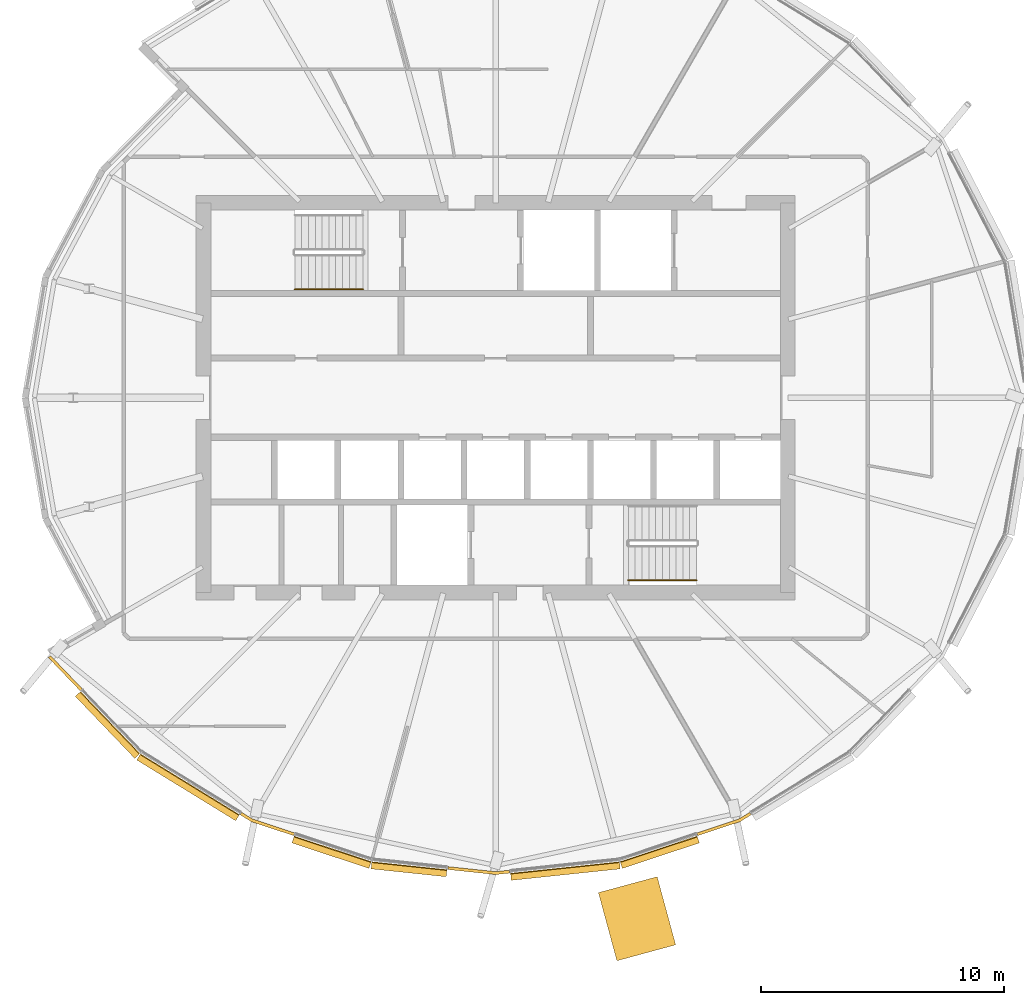
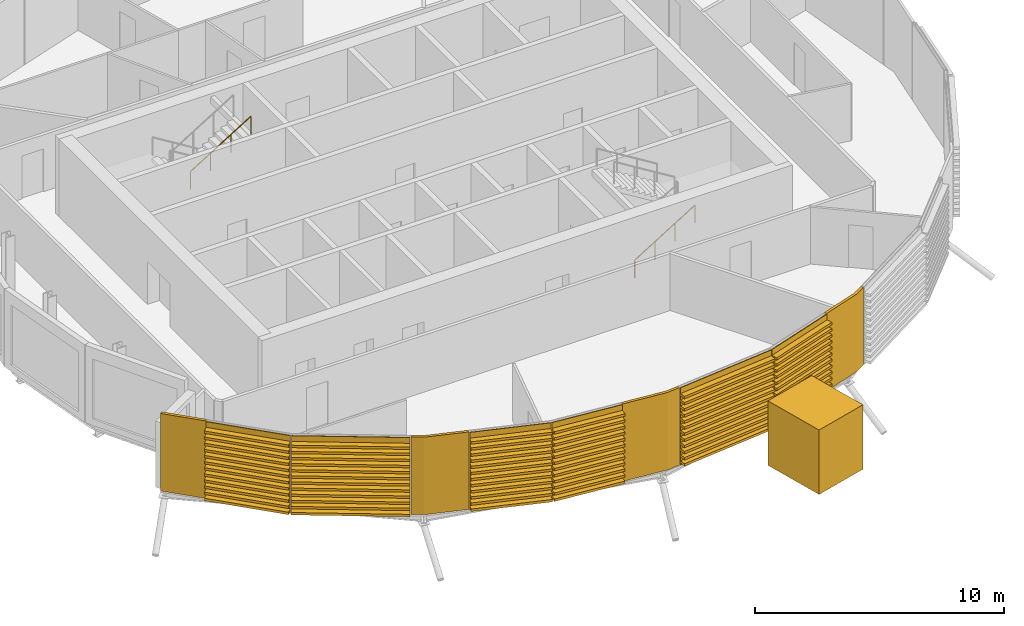
# One storey, part 33 of 38: 11 coverings, 2 railings.
"""IFC4 building model written with IfcOpenShell, lengths in metres."""

import ifcopenshell
import ifcopenshell.guid

model = None  # the IFC model being written
_history = None  # IfcOwnerHistory: only IFC2X3 demands one
_inside = {}  # id of a spatial element -> (the spatial element, [elements in it])
_under = {}  # id of a project, library or spatial element -> (it, [spatial elements below it])
_declared = {}  # id of a project -> (the project, [libraries it declares])
_typed = {}  # id of a type object -> (the type object, [elements of that type])
_made_of = {}  # id of a material, layer set ... -> (it, [elements and type objects made of it])


def new_model(schema):
    """Start an empty IFC model of exactly this schema.

    Asked for "IFC4X3", IfcOpenShell would pick the latest addendum, in which some entities
    have other attributes; the version numbers below select the first issue.
    IFC2X3 requires an IfcOwnerHistory on every rooted entity: one is made here for all.
    """
    global model, _history
    if schema == "IFC4X3":
        model = ifcopenshell.file(schema_version=(4, 3, 0, 0))
    else:
        model = ifcopenshell.file(schema=schema)
    _inside.clear()
    _under.clear()
    _declared.clear()
    _typed.clear()
    _made_of.clear()
    _history = None
    if model.schema == "IFC2X3":
        org = make("IfcOrganization", Name="unknown")
        user = make(
            "IfcPersonAndOrganization",
            ThePerson=make("IfcPerson", FamilyName="unknown"),
            TheOrganization=org,
        )
        app = make(
            "IfcApplication",
            ApplicationDeveloper=org,
            Version="unknown",
            ApplicationFullName="unknown",
            ApplicationIdentifier="unknown",
        )
        _history = make(
            "IfcOwnerHistory",
            OwningUser=user,
            OwningApplication=app,
            ChangeAction="ADDED",
            CreationDate=0,
        )
    return model


def make(cls, **values):
    """One entity of the class cls with the attributes given. An attribute that is None is left unset."""
    return model.create_entity(
        cls, **{name: value for name, value in values.items() if value is not None}
    )


def rooted(cls, **values):
    """An entity with a GlobalId (a new one), such as an element, a storey or a relation."""
    return make(cls, GlobalId=ifcopenshell.guid.new(), OwnerHistory=_history, **values)


def si_unit(unit_type, name, prefix=None):
    """IfcSIUnit, for example si_unit("LENGTHUNIT", "METRE", prefix="MILLI")."""
    return make("IfcSIUnit", UnitType=unit_type, Prefix=prefix, Name=name)


def assignment(units):
    """IfcUnitAssignment: the units of a project."""
    return None if units is None else make("IfcUnitAssignment", Units=units)


def point(xyz):
    """IfcCartesianPoint."""
    return None if xyz is None else make("IfcCartesianPoint", Coordinates=xyz)


def direction(xyz):
    """IfcDirection."""
    return None if xyz is None else make("IfcDirection", DirectionRatios=xyz)


def frame(location, z_axis=None, x_axis=None):
    """IfcAxis2Placement3D, a coordinate frame: its origin and axes. An axis left out is left unset."""
    return make(
        "IfcAxis2Placement3D",
        Location=point(location),
        Axis=direction(z_axis),
        RefDirection=direction(x_axis),
    )


def frame_2d(location, x_axis=None):
    """IfcAxis2Placement2D, a coordinate frame in the plane: its origin and x axis."""
    return make(
        "IfcAxis2Placement2D", Location=point(location), RefDirection=direction(x_axis)
    )


def origin():
    """The frame at (0, 0, 0) with its axes left unset."""
    return frame((0.0, 0.0, 0.0))


def origin_2d():
    """The frame at (0, 0) in the plane with its x axis left unset."""
    return frame_2d((0.0, 0.0))


def place(relative_to, where):
    """IfcLocalPlacement: puts the frame where relative to a parent placement (None: the world)."""
    return make(
        "IfcLocalPlacement", PlacementRelTo=relative_to, RelativePlacement=where
    )


def context(
    kind, dimensions, precision=None, world=None, true_north=None, identifier=None
):
    """IfcGeometricRepresentationContext, for example the 3D "Model" context."""
    return make(
        "IfcGeometricRepresentationContext",
        ContextIdentifier=identifier,
        ContextType=kind,
        CoordinateSpaceDimension=dimensions,
        Precision=precision,
        WorldCoordinateSystem=world,
        TrueNorth=true_north,
    )


def subcontext(parent, identifier, kind, view, scale=None):
    """IfcGeometricRepresentationSubContext, for example "Body" below "Model"."""
    return make(
        "IfcGeometricRepresentationSubContext",
        ContextIdentifier=identifier,
        ContextType=kind,
        ParentContext=parent,
        TargetScale=scale,
        TargetView=view,
    )


def project(units=None, contexts=None):
    """IfcProject with its units and contexts."""
    return rooted(
        "IfcProject",
        Name="project",
        RepresentationContexts=contexts,
        UnitsInContext=assignment(units),
    )


def spatial(cls, under=None, at=None, **own):
    """A site, building, storey or space (cls), placed at a placement, below another one or the project."""
    s = rooted(cls, ObjectPlacement=at, **own)
    if under is not None:
        _under.setdefault(under.id(), (under, []))[1].append(s)
    return s


def polyline(points):
    """IfcPolyline through the points."""
    return make("IfcPolyline", Points=[point(p) for p in points])


def profile(cls, at=None, kind="AREA", **sizes):
    """A parametric profile (cls). Its sizes go by their IFC names, for example OverallWidth=200.0."""
    return make(cls, ProfileType=kind, Position=at, **sizes)


def circle(**sizes):
    """IfcCircleProfileDef."""
    return profile("IfcCircleProfileDef", **sizes)


def outline(outer, holes=None, kind="AREA"):
    """IfcArbitraryClosedProfileDef: a profile drawn as a closed curve; with holes, ...WithVoids."""
    if holes is None:
        return make("IfcArbitraryClosedProfileDef", ProfileType=kind, OuterCurve=outer)
    return make(
        "IfcArbitraryProfileDefWithVoids",
        ProfileType=kind,
        OuterCurve=outer,
        InnerCurves=holes,
    )


def extrude(swept, where, along, depth):
    """IfcExtrudedAreaSolid: the profile swept, set in the frame where, extruded along a direction by depth."""
    return make(
        "IfcExtrudedAreaSolid",
        SweptArea=swept,
        Position=where,
        ExtrudedDirection=direction(along),
        Depth=depth,
    )


def shape(context_of_items, identifier, shape_type, items):
    """IfcShapeRepresentation: the items that make up one representation, for example the "Body"."""
    return make(
        "IfcShapeRepresentation",
        ContextOfItems=context_of_items,
        RepresentationIdentifier=identifier,
        RepresentationType=shape_type,
        Items=items,
    )


def material(Name=None, Category=None):
    """IfcMaterial."""
    return make("IfcMaterial", Name=Name, Category=Category)


def layer(
    of_material, thickness, ventilated=None, Name=None, Category=None, Priority=None
):
    """IfcMaterialLayer: one layer of a wall or slab, of a material (None: an air gap)."""
    return make(
        "IfcMaterialLayer",
        Material=of_material,
        LayerThickness=thickness,
        IsVentilated=ventilated,
        Name=Name,
        Category=Category,
        Priority=Priority,
    )


def layer_set(layers, Name=None):
    """IfcMaterialLayerSet."""
    return make("IfcMaterialLayerSet", MaterialLayers=layers, LayerSetName=Name)


def material_profile(
    of_material, cross_section, Name=None, Category=None, Priority=None
):
    """IfcMaterialProfile: a cross section and its material."""
    return make(
        "IfcMaterialProfile",
        Name=Name,
        Material=of_material,
        Profile=cross_section,
        Priority=Priority,
        Category=Category,
    )


def profile_set(profiles, Name=None, composite=None):
    """IfcMaterialProfileSet."""
    return make(
        "IfcMaterialProfileSet",
        Name=Name,
        MaterialProfiles=profiles,
        CompositeProfile=composite,
    )


def made_of(thing, what):
    """Note that an element or type object is made of a material, layer set ...; save() writes the relation."""
    if what is not None:
        _made_of.setdefault(what.id(), (what, []))[1].append(thing)
    return thing


def type_object(cls, material=None, **own):
    """A type object (cls), such as IfcWallType, which elements share."""
    return made_of(rooted(cls, **own), material)


def element(
    cls,
    number,
    at=None,
    inside=None,
    cuts=None,
    type_object=None,
    material=None,
    context=None,
    identifier="Body",
    shape_type=None,
    held_by="IfcProductDefinitionShape",
    body=None,
    shapes=None,
    **own,
):
    """One element of the class cls, such as IfcWall. Its Tag is "e" and its number.

    at: its placement. inside: the storey or other place that contains it. cuts: it is an
    opening in that element (IfcRelVoidsElement). A single representation is given by context,
    identifier, shape_type and body (its items); several are given by shapes. held_by: the class
    of the entity that holds the representations. save() writes the other relations.
    """
    e = rooted(cls, Tag="e%d" % number, ObjectPlacement=at, **own)
    if body is not None:
        shapes = [shape(context, identifier, shape_type, body)]
    if shapes is not None:
        e.Representation = make(held_by, Representations=shapes)
    if inside is not None:
        _inside.setdefault(inside.id(), (inside, []))[1].append(e)
    if cuts is not None:
        rooted(
            "IfcRelVoidsElement", RelatingBuildingElement=cuts, RelatedOpeningElement=e
        )
    if type_object is not None:
        _typed.setdefault(type_object.id(), (type_object, []))[1].append(e)
    return made_of(e, material)


def aggregate(whole, parts):
    """IfcRelAggregates: a whole, such as a stair, and the parts it consists of."""
    return rooted("IfcRelAggregates", RelatingObject=whole, RelatedObjects=parts)


def save(model, path):
    """Write the relations noted so far, then the file.

    IfcRelAggregates (storeys below a building ...), IfcRelContainedInSpatialStructure (elements
    in a storey), IfcRelDefinesByType, IfcRelAssociatesMaterial and IfcRelDeclares: one each for
    every whole, place, type object, material and project.
    """
    for whole, parts in _under.values():
        aggregate(whole, parts)
    for where, things in _inside.values():
        rooted(
            "IfcRelContainedInSpatialStructure",
            RelatedElements=things,
            RelatingStructure=where,
        )
    for kind, things in _typed.values():
        rooted("IfcRelDefinesByType", RelatedObjects=things, RelatingType=kind)
    for what, things in _made_of.values():
        rooted("IfcRelAssociatesMaterial", RelatedObjects=things, RelatingMaterial=what)
    for by, libraries in _declared.values():
        rooted("IfcRelDeclares", RelatingContext=by, RelatedDefinitions=libraries)
    model.write(path)


model = new_model("IFC4")

# Units and contexts
model_context = context("Model", 3, precision=1e-05, world=origin(), true_north=direction((0.0, 1.0)))
body_context = subcontext(model_context, "Body", "Model", "MODEL_VIEW")
ifc_project = project(units=[si_unit("LENGTHUNIT", "METRE"), si_unit("AREAUNIT", "SQUARE_METRE"), si_unit("VOLUMEUNIT", "CUBIC_METRE"), si_unit("PLANEANGLEUNIT", "RADIAN"), si_unit("MASSUNIT", "GRAM", prefix="KILO")], contexts=[model_context])

# Site, building, storey
site_placement = place(None, origin())
site = spatial("IfcSite", under=ifc_project, at=site_placement, CompositionType="ELEMENT")
building_placement = place(site_placement, origin())
building = spatial("IfcBuilding", under=site, at=building_placement, Name="Rimbun Link Towers", CompositionType="ELEMENT")
storey_placement = place(building_placement, frame((0.0, 0.0, 185.5)))
storey = spatial("IfcBuildingStorey", under=building, at=storey_placement, Name="L45", CompositionType="ELEMENT", Elevation=185.5)

# Coverings
ifc_material_1 = material(Name="Terracotta-faced insulated sandwich panel", Category="masonry")
ifc_layer_1 = layer(ifc_material_1, 0.10009765625)
ifc_layer_set_1 = layer_set([ifc_layer_1], Name="CAPSULE service module")
covering_type_1 = type_object("IfcCoveringType", Name="CAPSULE service module", PredefinedType="CLADDING", material=ifc_layer_set_1)
covering_1_placement = place(storey_placement, frame((0.0, 0.0, -0.800048828125)))
element("IfcCovering", 1, at=covering_1_placement, inside=storey, type_object=covering_type_1, Name="CAPSULE D441.04 service module", PredefinedType="CLADDING", context=body_context, shape_type="SweptSolid", body=[
    extrude(outline(polyline([(-26.77099609375, -23.126220703125), (-24.358154296875, -22.4716796875), (-25.117431640625, -19.6728515625), (-27.5302734375, -20.327392578125), (-26.77099609375, -23.126220703125)])), origin(), (0.0, 0.0, 1.0), 3.16015625),
])
ifc_material_2 = material(Name="Terracotta", Category="masonry")
ifc_layer_2 = layer(ifc_material_2, 0.1201171875)
ifc_layer_set_2 = layer_set([ifc_layer_2], Name="LINK PIER terracotta cladding 120")
covering_type_2 = type_object("IfcCoveringType", Name="LINK PIER terracotta cladding 120", PredefinedType="CLADDING", material=ifc_layer_set_2)
covering_2_placement = place(storey_placement, origin())
element("IfcCovering", 2, at=covering_2_placement, inside=storey, type_object=covering_type_2, Name="LINK PIER cladding", PredefinedType="CLADDING", context=body_context, shape_type="SweptSolid", body=[
    extrude(outline(polyline([(-48.728271484375, -11.95556640625), (-50.0361328125, -10.59130859375), (-50.122802734375, -10.67431640625), (-48.81494140625, -12.03857421875), (-48.728271484375, -11.95556640625)])), origin(), (0.0, 0.0, 1.0), 3.800048828125),
])
covering_3_placement = place(storey_placement, origin())
element("IfcCovering", 3, at=covering_3_placement, inside=storey, type_object=covering_type_2, Name="LINK PIER cladding", PredefinedType="CLADDING", context=body_context, shape_type="SweptSolid", body=[
    extrude(outline(polyline([(-40.011474609375, -17.8740234375), (-41.739013671875, -17.301513671875), (-42.18212890625, -17.029541015625), (-42.2451171875, -17.1318359375), (-41.7900390625, -17.4111328125), (-40.04931640625, -17.988037109375), (-40.011474609375, -17.8740234375)])), origin(), (0.0, 0.0, 1.0), 3.800048828125),
])
covering_4_placement = place(storey_placement, origin())
element("IfcCovering", 4, at=covering_4_placement, inside=storey, type_object=covering_type_2, Name="LINK PIER cladding", PredefinedType="CLADDING", context=body_context, shape_type="SweptSolid", body=[
    extrude(outline(polyline([(-31.18310546875, -19.405517578125), (-31.75, -19.465087890625), (-33.709228515625, -19.2587890625), (-33.7216796875, -19.378173828125), (-31.75, -19.5859375), (-31.170654296875, -19.52490234375), (-31.18310546875, -19.405517578125)])), origin(), (0.0, 0.0, 1.0), 3.800048828125),
])
covering_5_placement = place(storey_placement, origin())
element("IfcCovering", 5, at=covering_5_placement, inside=storey, type_object=covering_type_2, Name="LINK PIER cladding", PredefinedType="CLADDING", context=body_context, shape_type="SweptSolid", body=[
    extrude(outline(polyline([(-21.31787109375, -17.029541015625), (-21.760986328125, -17.301513671875), (-23.488525390625, -17.8740234375), (-23.45068359375, -17.988037109375), (-21.7099609375, -17.4111328125), (-21.2548828125, -17.1318359375), (-21.31787109375, -17.029541015625)])), origin(), (0.0, 0.0, 1.0), 3.800048828125),
])

# Railings
ifc_material_3 = material(Name="Stainless steel grade 316", Category="steel")
railing_type = type_object("IfcRailingType", Name="Stair handrail", PredefinedType="HANDRAIL", material=ifc_material_3)
for number, where, name in (
    (6, (-40.0, 4.449951171875, 2.07275390625), "L45 ST1 stair handrail 2"),
    (7, (-26.300048828125, -7.5, 0.172607421875), "L45 ST2 stair handrail 1"),
):
    element("IfcRailing", number, at=place(storey_placement, frame(where)), inside=storey, type_object=railing_type, Name=name, PredefinedType="HANDRAIL", context=body_context, shape_type="SweptSolid", body=[
        extrude(circle(Radius=0.02392578125, at=origin_2d()), frame((0.0, 0.0, 0.8759765625), z_axis=(0.851089632645, 0.0, 0.525020415988), x_axis=(0.0, 1.0, 0.0)), (0.0, 0.0, 1.0), 3.2900390625),
        extrude(circle(Radius=0.02099609375, at=origin_2d()), origin(), (0.0, 0.0, 1.0), 0.851806640625),
        extrude(circle(Radius=0.02099609375, at=origin_2d()), frame((0.933349609375, 0.0, 0.57568359375)), (0.0, 0.0, 1.0), 0.851806640625),
        extrude(circle(Radius=0.02099609375, at=origin_2d()), frame((1.86669921875, 0.0, 1.151611328125)), (0.0, 0.0, 1.0), 0.851806640625),
        extrude(circle(Radius=0.02099609375, at=origin_2d()), frame((2.800048828125, 0.0, 1.727294921875)), (0.0, 0.0, 1.0), 0.851806640625),
    ])

# Coverings
ifc_material_4 = material(Name="Terracotta", Category="masonry")
ifc_material_profile = material_profile(ifc_material_4, outline(polyline([(0.123046875, 0.0), (0.1630859375, 0.0), (0.1630859375, 0.10009765625), (0.423095703125, 0.10009765625), (0.423095703125, 0.219970703125), (0.1630859375, 0.219970703125), (0.1630859375, 0.39990234375), (0.423095703125, 0.39990234375), (0.423095703125, 0.52001953125), (0.1630859375, 0.52001953125), (0.1630859375, 0.699951171875), (0.423095703125, 0.699951171875), (0.423095703125, 0.820068359375), (0.1630859375, 0.820068359375), (0.1630859375, 1.0), (0.423095703125, 1.0), (0.423095703125, 1.1201171875), (0.1630859375, 1.1201171875), (0.1630859375, 1.300048828125), (0.423095703125, 1.300048828125), (0.423095703125, 1.419921875), (0.1630859375, 1.419921875), (0.1630859375, 1.60009765625), (0.423095703125, 1.60009765625), (0.423095703125, 1.719970703125), (0.1630859375, 1.719970703125), (0.1630859375, 1.89990234375), (0.423095703125, 1.89990234375), (0.423095703125, 2.02001953125), (0.1630859375, 2.02001953125), (0.1630859375, 2.199951171875), (0.423095703125, 2.199951171875), (0.423095703125, 2.320068359375), (0.1630859375, 2.320068359375), (0.1630859375, 2.5), (0.423095703125, 2.5), (0.423095703125, 2.6201171875), (0.1630859375, 2.6201171875), (0.1630859375, 2.800048828125), (0.423095703125, 2.800048828125), (0.423095703125, 2.919921875), (0.1630859375, 2.919921875), (0.1630859375, 3.10009765625), (0.423095703125, 3.10009765625), (0.423095703125, 3.219970703125), (0.1630859375, 3.219970703125), (0.1630859375, 3.39990234375), (0.423095703125, 3.39990234375), (0.423095703125, 3.52001953125), (0.1630859375, 3.52001953125), (0.1630859375, 3.800048828125), (0.123046875, 3.800048828125), (0.123046875, 0.0)])), Name="BAGUETTE 120X300")
ifc_profile_set = profile_set([ifc_material_profile], Name="Terracotta")
covering_type_3 = type_object("IfcCoveringType", Name="TERRACOTTA BAGUETTE 120X300 H3800", PredefinedType="CLADDING", material=ifc_profile_set)
covering_6_placement = place(storey_placement, frame((-46.269775390625, -14.519775390625, 0.0), z_axis=(-0.692082982419, 0.721817944808, 0.0), x_axis=(-0.721817944808, -0.692082982419, 0.0)))
element("IfcCovering", 8, at=covering_6_placement, inside=storey, type_object=covering_type_3, Name="TERRACOTTA BAGUETTE", PredefinedType="CLADDING", context=body_context, shape_type="SweptSolid", body=[
    extrude(outline(polyline([(0.123046875, 0.0), (0.1630859375, 0.0), (0.1630859375, 0.10009765625), (0.423095703125, 0.10009765625), (0.423095703125, 0.219970703125), (0.1630859375, 0.219970703125), (0.1630859375, 0.39990234375), (0.423095703125, 0.39990234375), (0.423095703125, 0.52001953125), (0.1630859375, 0.52001953125), (0.1630859375, 0.699951171875), (0.423095703125, 0.699951171875), (0.423095703125, 0.820068359375), (0.1630859375, 0.820068359375), (0.1630859375, 1.0), (0.423095703125, 1.0), (0.423095703125, 1.1201171875), (0.1630859375, 1.1201171875), (0.1630859375, 1.300048828125), (0.423095703125, 1.300048828125), (0.423095703125, 1.419921875), (0.1630859375, 1.419921875), (0.1630859375, 1.60009765625), (0.423095703125, 1.60009765625), (0.423095703125, 1.719970703125), (0.1630859375, 1.719970703125), (0.1630859375, 1.89990234375), (0.423095703125, 1.89990234375), (0.423095703125, 2.02001953125), (0.1630859375, 2.02001953125), (0.1630859375, 2.199951171875), (0.423095703125, 2.199951171875), (0.423095703125, 2.320068359375), (0.1630859375, 2.320068359375), (0.1630859375, 2.5), (0.423095703125, 2.5), (0.423095703125, 2.6201171875), (0.1630859375, 2.6201171875), (0.1630859375, 2.800048828125), (0.423095703125, 2.800048828125), (0.423095703125, 2.919921875), (0.1630859375, 2.919921875), (0.1630859375, 3.10009765625), (0.423095703125, 3.10009765625), (0.423095703125, 3.219970703125), (0.1630859375, 3.219970703125), (0.1630859375, 3.39990234375), (0.423095703125, 3.39990234375), (0.423095703125, 3.52001953125), (0.1630859375, 3.52001953125), (0.1630859375, 3.800048828125), (0.123046875, 3.800048828125), (0.123046875, 0.0)])), origin(), (0.0, 0.0, 1.0), 3.522216796875),
])
covering_7_placement = place(storey_placement, frame((-42.207763671875, -17.013916015625, 0.0), z_axis=(-0.852178437942, 0.523251287535, 0.0), x_axis=(-0.523251287535, -0.852178437942, 0.0)))
element("IfcCovering", 9, at=covering_7_placement, inside=storey, type_object=covering_type_3, Name="TERRACOTTA BAGUETTE", PredefinedType="CLADDING", context=body_context, shape_type="SweptSolid", body=[
    extrude(outline(polyline([(0.123046875, 0.0), (0.1630859375, 0.0), (0.1630859375, 0.10009765625), (0.423095703125, 0.10009765625), (0.423095703125, 0.219970703125), (0.1630859375, 0.219970703125), (0.1630859375, 0.39990234375), (0.423095703125, 0.39990234375), (0.423095703125, 0.52001953125), (0.1630859375, 0.52001953125), (0.1630859375, 0.699951171875), (0.423095703125, 0.699951171875), (0.423095703125, 0.820068359375), (0.1630859375, 0.820068359375), (0.1630859375, 1.0), (0.423095703125, 1.0), (0.423095703125, 1.1201171875), (0.1630859375, 1.1201171875), (0.1630859375, 1.300048828125), (0.423095703125, 1.300048828125), (0.423095703125, 1.419921875), (0.1630859375, 1.419921875), (0.1630859375, 1.60009765625), (0.423095703125, 1.60009765625), (0.423095703125, 1.719970703125), (0.1630859375, 1.719970703125), (0.1630859375, 1.89990234375), (0.423095703125, 1.89990234375), (0.423095703125, 2.02001953125), (0.1630859375, 2.02001953125), (0.1630859375, 2.199951171875), (0.423095703125, 2.199951171875), (0.423095703125, 2.320068359375), (0.1630859375, 2.320068359375), (0.1630859375, 2.5), (0.423095703125, 2.5), (0.423095703125, 2.6201171875), (0.1630859375, 2.6201171875), (0.1630859375, 2.800048828125), (0.423095703125, 2.800048828125), (0.423095703125, 2.919921875), (0.1630859375, 2.919921875), (0.1630859375, 3.10009765625), (0.423095703125, 3.10009765625), (0.423095703125, 3.219970703125), (0.1630859375, 3.219970703125), (0.1630859375, 3.39990234375), (0.423095703125, 3.39990234375), (0.423095703125, 3.52001953125), (0.1630859375, 3.52001953125), (0.1630859375, 3.800048828125), (0.123046875, 3.800048828125), (0.123046875, 0.0)])), origin(), (0.0, 0.0, 1.0), 4.7666015625),
])
covering_8_placement = place(storey_placement, frame((-36.822509765625, -18.930908203125, 0.0), z_axis=(-0.949231823873, 0.314577406289, 0.0), x_axis=(-0.314577406289, -0.949231823873, 0.0)))
element("IfcCovering", 10, at=covering_8_placement, inside=storey, type_object=covering_type_3, Name="TERRACOTTA BAGUETTE", PredefinedType="CLADDING", context=body_context, shape_type="SweptSolid", body=[
    extrude(outline(polyline([(0.123046875, 0.0), (0.1630859375, 0.0), (0.1630859375, 0.10009765625), (0.423095703125, 0.10009765625), (0.423095703125, 0.219970703125), (0.1630859375, 0.219970703125), (0.1630859375, 0.39990234375), (0.423095703125, 0.39990234375), (0.423095703125, 0.52001953125), (0.1630859375, 0.52001953125), (0.1630859375, 0.699951171875), (0.423095703125, 0.699951171875), (0.423095703125, 0.820068359375), (0.1630859375, 0.820068359375), (0.1630859375, 1.0), (0.423095703125, 1.0), (0.423095703125, 1.1201171875), (0.1630859375, 1.1201171875), (0.1630859375, 1.300048828125), (0.423095703125, 1.300048828125), (0.423095703125, 1.419921875), (0.1630859375, 1.419921875), (0.1630859375, 1.60009765625), (0.423095703125, 1.60009765625), (0.423095703125, 1.719970703125), (0.1630859375, 1.719970703125), (0.1630859375, 1.89990234375), (0.423095703125, 1.89990234375), (0.423095703125, 2.02001953125), (0.1630859375, 2.02001953125), (0.1630859375, 2.199951171875), (0.423095703125, 2.199951171875), (0.423095703125, 2.320068359375), (0.1630859375, 2.320068359375), (0.1630859375, 2.5), (0.423095703125, 2.5), (0.423095703125, 2.6201171875), (0.1630859375, 2.6201171875), (0.1630859375, 2.800048828125), (0.423095703125, 2.800048828125), (0.423095703125, 2.919921875), (0.1630859375, 2.919921875), (0.1630859375, 3.10009765625), (0.423095703125, 3.10009765625), (0.423095703125, 3.219970703125), (0.1630859375, 3.219970703125), (0.1630859375, 3.39990234375), (0.423095703125, 3.39990234375), (0.423095703125, 3.52001953125), (0.1630859375, 3.52001953125), (0.1630859375, 3.800048828125), (0.123046875, 3.800048828125), (0.123046875, 0.0)])), origin(), (0.0, 0.0, 1.0), 3.329345703125),
])
covering_9_placement = place(storey_placement, frame((-33.739013671875, -19.255615234375, 0.0), z_axis=(-0.994501137491, 0.10472577299, 0.0), x_axis=(-0.10472577299, -0.994501137491, 0.0)))
element("IfcCovering", 11, at=covering_9_placement, inside=storey, type_object=covering_type_3, Name="TERRACOTTA BAGUETTE", PredefinedType="CLADDING", context=body_context, shape_type="SweptSolid", body=[
    extrude(outline(polyline([(0.123046875, 0.0), (0.1630859375, 0.0), (0.1630859375, 0.10009765625), (0.423095703125, 0.10009765625), (0.423095703125, 0.219970703125), (0.1630859375, 0.219970703125), (0.1630859375, 0.39990234375), (0.423095703125, 0.39990234375), (0.423095703125, 0.52001953125), (0.1630859375, 0.52001953125), (0.1630859375, 0.699951171875), (0.423095703125, 0.699951171875), (0.423095703125, 0.820068359375), (0.1630859375, 0.820068359375), (0.1630859375, 1.0), (0.423095703125, 1.0), (0.423095703125, 1.1201171875), (0.1630859375, 1.1201171875), (0.1630859375, 1.300048828125), (0.423095703125, 1.300048828125), (0.423095703125, 1.419921875), (0.1630859375, 1.419921875), (0.1630859375, 1.60009765625), (0.423095703125, 1.60009765625), (0.423095703125, 1.719970703125), (0.1630859375, 1.719970703125), (0.1630859375, 1.89990234375), (0.423095703125, 1.89990234375), (0.423095703125, 2.02001953125), (0.1630859375, 2.02001953125), (0.1630859375, 2.199951171875), (0.423095703125, 2.199951171875), (0.423095703125, 2.320068359375), (0.1630859375, 2.320068359375), (0.1630859375, 2.5), (0.423095703125, 2.5), (0.423095703125, 2.6201171875), (0.1630859375, 2.6201171875), (0.1630859375, 2.800048828125), (0.423095703125, 2.800048828125), (0.423095703125, 2.919921875), (0.1630859375, 2.919921875), (0.1630859375, 3.10009765625), (0.423095703125, 3.10009765625), (0.423095703125, 3.219970703125), (0.1630859375, 3.219970703125), (0.1630859375, 3.39990234375), (0.423095703125, 3.39990234375), (0.423095703125, 3.52001953125), (0.1630859375, 3.52001953125), (0.1630859375, 3.800048828125), (0.123046875, 3.800048828125), (0.123046875, 0.0)])), origin(), (0.0, 0.0, 1.0), 3.1005859375),
])
covering_10_placement = place(storey_placement, frame((-26.677490234375, -18.930908203125, 0.0), z_axis=(-0.994498614272, -0.104749731313, 0.0), x_axis=(0.104749731313, -0.994498614272, 0.0)))
element("IfcCovering", 12, at=covering_10_placement, inside=storey, type_object=covering_type_3, Name="TERRACOTTA BAGUETTE", PredefinedType="CLADDING", context=body_context, shape_type="SweptSolid", body=[
    extrude(outline(polyline([(0.123046875, 0.0), (0.1630859375, 0.0), (0.1630859375, 0.10009765625), (0.423095703125, 0.10009765625), (0.423095703125, 0.219970703125), (0.1630859375, 0.219970703125), (0.1630859375, 0.39990234375), (0.423095703125, 0.39990234375), (0.423095703125, 0.52001953125), (0.1630859375, 0.52001953125), (0.1630859375, 0.699951171875), (0.423095703125, 0.699951171875), (0.423095703125, 0.820068359375), (0.1630859375, 0.820068359375), (0.1630859375, 1.0), (0.423095703125, 1.0), (0.423095703125, 1.1201171875), (0.1630859375, 1.1201171875), (0.1630859375, 1.300048828125), (0.423095703125, 1.300048828125), (0.423095703125, 1.419921875), (0.1630859375, 1.419921875), (0.1630859375, 1.60009765625), (0.423095703125, 1.60009765625), (0.423095703125, 1.719970703125), (0.1630859375, 1.719970703125), (0.1630859375, 1.89990234375), (0.423095703125, 1.89990234375), (0.423095703125, 2.02001953125), (0.1630859375, 2.02001953125), (0.1630859375, 2.199951171875), (0.423095703125, 2.199951171875), (0.423095703125, 2.320068359375), (0.1630859375, 2.320068359375), (0.1630859375, 2.5), (0.423095703125, 2.5), (0.423095703125, 2.6201171875), (0.1630859375, 2.6201171875), (0.1630859375, 2.800048828125), (0.423095703125, 2.800048828125), (0.423095703125, 2.919921875), (0.1630859375, 2.919921875), (0.1630859375, 3.10009765625), (0.423095703125, 3.10009765625), (0.423095703125, 3.219970703125), (0.1630859375, 3.219970703125), (0.1630859375, 3.39990234375), (0.423095703125, 3.39990234375), (0.423095703125, 3.52001953125), (0.1630859375, 3.52001953125), (0.1630859375, 3.800048828125), (0.123046875, 3.800048828125), (0.123046875, 0.0)])), origin(), (0.0, 0.0, 1.0), 4.50048828125),
])
covering_11_placement = place(storey_placement, frame((-23.51708984375, -17.883544921875, 0.0), z_axis=(-0.949231823873, -0.314577406289, 0.0), x_axis=(0.314577406289, -0.949231823873, 0.0)))
element("IfcCovering", 13, at=covering_11_placement, inside=storey, type_object=covering_type_3, Name="TERRACOTTA BAGUETTE", PredefinedType="CLADDING", context=body_context, shape_type="SweptSolid", body=[
    extrude(outline(polyline([(0.123046875, 0.0), (0.1630859375, 0.0), (0.1630859375, 0.10009765625), (0.423095703125, 0.10009765625), (0.423095703125, 0.219970703125), (0.1630859375, 0.219970703125), (0.1630859375, 0.39990234375), (0.423095703125, 0.39990234375), (0.423095703125, 0.52001953125), (0.1630859375, 0.52001953125), (0.1630859375, 0.699951171875), (0.423095703125, 0.699951171875), (0.423095703125, 0.820068359375), (0.1630859375, 0.820068359375), (0.1630859375, 1.0), (0.423095703125, 1.0), (0.423095703125, 1.1201171875), (0.1630859375, 1.1201171875), (0.1630859375, 1.300048828125), (0.423095703125, 1.300048828125), (0.423095703125, 1.419921875), (0.1630859375, 1.419921875), (0.1630859375, 1.60009765625), (0.423095703125, 1.60009765625), (0.423095703125, 1.719970703125), (0.1630859375, 1.719970703125), (0.1630859375, 1.89990234375), (0.423095703125, 1.89990234375), (0.423095703125, 2.02001953125), (0.1630859375, 2.02001953125), (0.1630859375, 2.199951171875), (0.423095703125, 2.199951171875), (0.423095703125, 2.320068359375), (0.1630859375, 2.320068359375), (0.1630859375, 2.5), (0.423095703125, 2.5), (0.423095703125, 2.6201171875), (0.1630859375, 2.6201171875), (0.1630859375, 2.800048828125), (0.423095703125, 2.800048828125), (0.423095703125, 2.919921875), (0.1630859375, 2.919921875), (0.1630859375, 3.10009765625), (0.423095703125, 3.10009765625), (0.423095703125, 3.219970703125), (0.1630859375, 3.219970703125), (0.1630859375, 3.39990234375), (0.423095703125, 3.39990234375), (0.423095703125, 3.52001953125), (0.1630859375, 3.52001953125), (0.1630859375, 3.800048828125), (0.123046875, 3.800048828125), (0.123046875, 0.0)])), origin(), (0.0, 0.0, 1.0), 3.329345703125),
])

save(model, "model.ifc")
